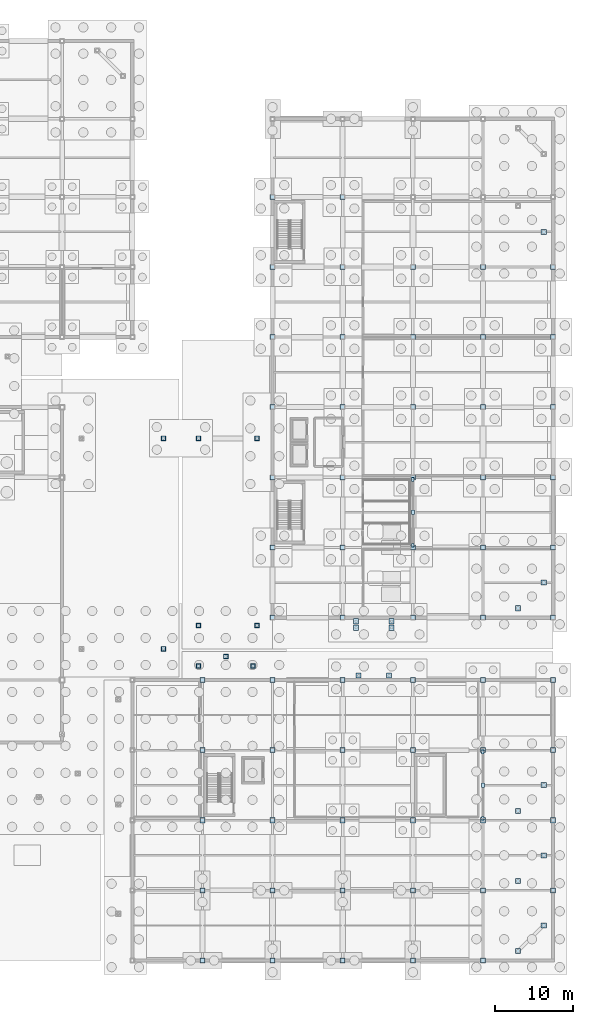
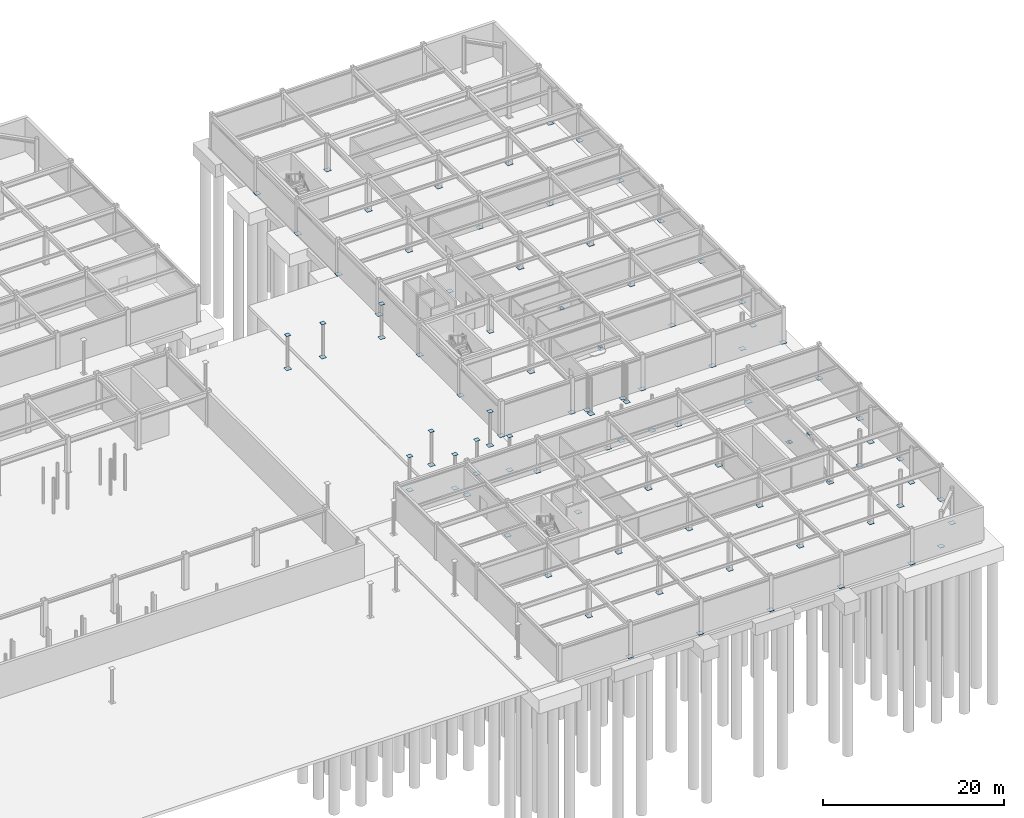
# One storey, part 50 of 74: 100 plates.
"""IFC4 building model written with IfcOpenShell, lengths in metres."""

from ifc_helpers import new_model, si_unit, direction, frame, origin, origin_2d, place, context, subcontext, project, spatial, rectangle, extrude, material, layer, layer_set, type_object, element, save


model = new_model("IFC4")

# Units and contexts
model_context = context("Model", 3, precision=1e-05, world=origin(), true_north=direction((0.0, 1.0)))
body_context = subcontext(model_context, "Body", "Model", "MODEL_VIEW")
ifc_project = project(units=[si_unit("LENGTHUNIT", "METRE"), si_unit("AREAUNIT", "SQUARE_METRE"), si_unit("VOLUMEUNIT", "CUBIC_METRE"), si_unit("PLANEANGLEUNIT", "RADIAN"), si_unit("MASSUNIT", "GRAM", prefix="KILO")], contexts=[model_context])

# Site, building, storey
site_placement = place(None, origin())
site = spatial("IfcSite", under=ifc_project, at=site_placement, CompositionType="ELEMENT")
building_placement = place(site_placement, origin())
building = spatial("IfcBuilding", under=site, at=building_placement, Name="Suzunagisa Mobility Hub", CompositionType="ELEMENT")
storey_placement = place(building_placement, frame((0.0, 0.0, -4.800048828125)))
storey = spatial("IfcBuildingStorey", under=building, at=storey_placement, Name="B1", CompositionType="ELEMENT", Elevation=-4.800048828125)

# Plates
ifc_material = material(Name="Steel SN490B", Category="steel")
ifc_layer_1 = layer(ifc_material, 0.02392578125)
ifc_layer_set_1 = layer_set([ifc_layer_1], Name="Steel SN490B")
plate_type_1 = type_object("IfcPlateType", Name="Structural Steel Plate SP-01 550x550x24", PredefinedType="USERDEFINED", material=ifc_layer_set_1)
for number, where, z_axis, x_axis, name in (
    (1, (130.0, 40.0, 4.55517578125), (0.0, 0.0, 1.0), (1.0, 0.0, 0.0), "B1 Column Cap Plate CP-237"),
    (2, (130.0, 67.0, 4.55517578125), (0.0, 0.0, 1.0), (1.0, 0.0, 0.0), "B1 Column Cap Plate CP-238"),
    (3, (134.5, 37.800048828125, 4.55517578125), (0.0, 0.0, 1.0), (1.0, 0.0, 0.0), "B1 Column Cap Plate CP-239"),
    (4, (134.5, 43.0, 4.55517578125), (0.0, 0.0, 1.0), (1.0, 0.0, 0.0), "B1 Column Cap Plate CP-240"),
    (5, (134.5, 67.0, 4.55517578125), (0.0, 0.0, 1.0), (1.0, 0.0, 0.0), "B1 Column Cap Plate CP-241"),
    (6, (138.0, 39.0, 4.55517578125), (0.0, 0.0, 1.0), (1.0, 0.0, 0.0), "B1 Column Cap Plate CP-247"),
    (7, (141.5, 37.800048828125, 4.55517578125), (0.0, 0.0, 1.0), (1.0, 0.0, 0.0), "B1 Column Cap Plate CP-248"),
    (8, (142.0, 43.0, 4.55517578125), (0.0, 0.0, 1.0), (1.0, 0.0, 0.0), "B1 Column Cap Plate CP-249"),
    (9, (142.0, 67.0, 4.55517578125), (0.0, 0.0, 1.0), (1.0, 0.0, 0.0), "B1 Column Cap Plate CP-250"),
):
    element("IfcPlate", number, at=place(storey_placement, frame(where, z_axis=z_axis, x_axis=x_axis)), inside=storey, type_object=plate_type_1, Name=name, ObjectType="BASE PLATE", PredefinedType="USERDEFINED", context=body_context, shape_type="SweptSolid", body=[
        extrude(rectangle(XDim=0.550048828125, YDim=0.550048828125, at=origin_2d()), origin(), (0.0, 0.0, 1.0), 0.02392578125),
    ])
ifc_layer_2 = layer(ifc_material, 0.028076171875)
ifc_layer_set_2 = layer_set([ifc_layer_2], Name="Steel SN490B")
plate_type_2 = type_object("IfcPlateType", Name="Structural Steel Plate SP-04 480x320x28", PredefinedType="USERDEFINED", material=ifc_layer_set_2)
for number, where, z_axis, x_axis, name in (
    (10, (162.0, 53.27001953125, 0.10595703125), (0.0, 0.0, 1.0), (1.0, 0.0, 0.0), "B1 Brace Foot Gusset Plate FGP-107.1"),
    (11, (162.0, 61.72998046875, 0.10595703125), (0.0, 0.0, 1.0), (1.0, 0.0, 0.0), "B1 Brace Foot Gusset Plate FGP-107.2"),
    (12, (171.0, 18.2451171875, 0.10595703125), (0.0, 0.0, 1.0), (1.0, 0.0, 0.0), "B1 Brace Foot Gusset Plate FGP-125.1"),
    (13, (171.0, 26.7548828125, 0.10595703125), (0.0, 0.0, 1.0), (1.0, 0.0, 0.0), "B1 Brace Foot Gusset Plate FGP-125.2"),
):
    element("IfcPlate", number, at=place(storey_placement, frame(where, z_axis=z_axis, x_axis=x_axis)), inside=storey, type_object=plate_type_2, Name=name, ObjectType="GUSSET PLATE", PredefinedType="USERDEFINED", context=body_context, shape_type="SweptSolid", body=[
        extrude(rectangle(XDim=0.320068359375, YDim=0.47998046875, at=origin_2d()), origin(), (0.0, 0.0, 1.0), 0.028076171875),
    ])
ifc_layer_3 = layer(ifc_material, 0.031982421875)
ifc_layer_set_3 = layer_set([ifc_layer_3], Name="Steel SN490B")
plate_type_3 = type_object("IfcPlateType", Name="Structural Steel Plate SP-05 650x650x32", PredefinedType="USERDEFINED", material=ifc_layer_set_3)
for number, where, z_axis, x_axis, name in (
    (14, (130.0, 40.0, -0.03173828125), (0.0, 0.0, 1.0), (1.0, 0.0, 0.0), "Column Base Plate BP-237"),
    (15, (130.0, 67.0, -0.03173828125), (0.0, 0.0, 1.0), (1.0, 0.0, 0.0), "Column Base Plate BP-238"),
    (16, (134.5, 37.800048828125, -0.03173828125), (0.0, 0.0, 1.0), (1.0, 0.0, 0.0), "Column Base Plate BP-239"),
    (17, (134.5, 43.0, -0.03173828125), (0.0, 0.0, 1.0), (1.0, 0.0, 0.0), "Column Base Plate BP-240"),
    (18, (134.5, 67.0, -0.03173828125), (0.0, 0.0, 1.0), (1.0, 0.0, 0.0), "Column Base Plate BP-241"),
    (19, (135.0, 0.0, -0.03173828125), (0.0, 0.0, 1.0), (1.0, 0.0, 0.0), "Column Base Plate BP-242"),
    (20, (135.0, 9.0, -0.03173828125), (0.0, 0.0, 1.0), (1.0, 0.0, 0.0), "Column Base Plate BP-243"),
    (21, (135.0, 18.0, -0.03173828125), (0.0, 0.0, 1.0), (1.0, 0.0, 0.0), "Column Base Plate BP-244"),
    (22, (135.0, 27.0, -0.03173828125), (0.0, 0.0, 1.0), (1.0, 0.0, 0.0), "Column Base Plate BP-245"),
    (23, (135.0, 36.0, -0.03173828125), (0.0, 0.0, 1.0), (1.0, 0.0, 0.0), "Column Base Plate BP-246"),
    (24, (138.0, 39.0, -0.03173828125), (0.0, 0.0, 1.0), (1.0, 0.0, 0.0), "Column Base Plate BP-247"),
    (25, (141.5, 37.800048828125, -0.03173828125), (0.0, 0.0, 1.0), (1.0, 0.0, 0.0), "Column Base Plate BP-248"),
    (26, (142.0, 43.0, -0.03173828125), (0.0, 0.0, 1.0), (1.0, 0.0, 0.0), "Column Base Plate BP-249"),
    (27, (142.0, 67.0, -0.03173828125), (0.0, 0.0, 1.0), (1.0, 0.0, 0.0), "Column Base Plate BP-250"),
    (28, (144.0, 0.0, -0.03173828125), (0.0, 0.0, 1.0), (1.0, 0.0, 0.0), "Column Base Plate BP-251"),
    (29, (144.0, 9.0, -0.03173828125), (0.0, 0.0, 1.0), (1.0, 0.0, 0.0), "Column Base Plate BP-252"),
    (30, (144.0, 18.0, -0.03173828125), (0.0, 0.0, 1.0), (1.0, 0.0, 0.0), "Column Base Plate BP-253"),
    (31, (144.0, 27.0, -0.03173828125), (0.0, 0.0, 1.0), (1.0, 0.0, 0.0), "Column Base Plate BP-254"),
    (32, (144.0, 36.0, -0.03173828125), (0.0, 0.0, 1.0), (1.0, 0.0, 0.0), "Column Base Plate BP-255"),
    (33, (144.0, 44.0, -0.03173828125), (0.0, 0.0, 1.0), (1.0, 0.0, 0.0), "Column Base Plate BP-256"),
    (34, (144.0, 53.0, -0.03173828125), (0.0, 0.0, 1.0), (1.0, 0.0, 0.0), "Column Base Plate BP-257"),
    (35, (144.0, 62.0, -0.03173828125), (0.0, 0.0, 1.0), (1.0, 0.0, 0.0), "Column Base Plate BP-258"),
    (36, (144.0, 71.0, -0.03173828125), (0.0, 0.0, 1.0), (1.0, 0.0, 0.0), "Column Base Plate BP-259"),
    (37, (144.0, 80.0, -0.03173828125), (0.0, 0.0, 1.0), (1.0, 0.0, 0.0), "Column Base Plate BP-260"),
    (38, (144.0, 89.0, -0.03173828125), (0.0, 0.0, 1.0), (1.0, 0.0, 0.0), "Column Base Plate BP-261"),
    (39, (144.0, 98.0, -0.03173828125), (0.0, 0.0, 1.0), (1.0, 0.0, 0.0), "Column Base Plate BP-262"),
    (40, (153.0, 0.0, -0.03173828125), (0.0, 0.0, 1.0), (1.0, 0.0, 0.0), "Column Base Plate BP-264"),
    (41, (153.0, 9.0, -0.03173828125), (0.0, 0.0, 1.0), (1.0, 0.0, 0.0), "Column Base Plate BP-265"),
    (42, (153.0, 18.0, -0.03173828125), (0.0, 0.0, 1.0), (1.0, 0.0, 0.0), "Column Base Plate BP-266"),
    (43, (153.0, 27.0, -0.03173828125), (0.0, 0.0, 1.0), (1.0, 0.0, 0.0), "Column Base Plate BP-267"),
    (44, (153.0, 36.0, -0.03173828125), (0.0, 0.0, 1.0), (1.0, 0.0, 0.0), "Column Base Plate BP-268"),
    (45, (153.0, 44.0, -0.03173828125), (0.0, 0.0, 1.0), (1.0, 0.0, 0.0), "Column Base Plate BP-269"),
    (46, (153.0, 53.0, -0.03173828125), (0.0, 0.0, 1.0), (1.0, 0.0, 0.0), "Column Base Plate BP-270"),
    (47, (153.0, 62.0, -0.03173828125), (0.0, 0.0, 1.0), (1.0, 0.0, 0.0), "Column Base Plate BP-271"),
    (48, (153.0, 71.0, -0.03173828125), (0.0, 0.0, 1.0), (1.0, 0.0, 0.0), "Column Base Plate BP-272"),
    (49, (153.0, 80.0, -0.03173828125), (0.0, 0.0, 1.0), (1.0, 0.0, 0.0), "Column Base Plate BP-273"),
    (50, (153.0, 89.0, -0.03173828125), (0.0, 0.0, 1.0), (1.0, 0.0, 0.0), "Column Base Plate BP-274"),
    (51, (153.0, 98.0, -0.03173828125), (0.0, 0.0, 1.0), (1.0, 0.0, 0.0), "Column Base Plate BP-275"),
    (52, (154.719970703125, 42.699951171875, -0.03173828125), (0.0, 0.0, 1.0), (1.0, 0.0, 0.0), "Column Base Plate BP-277"),
    (53, (154.719970703125, 43.530029296875, -0.03173828125), (0.0, 0.0, 1.0), (1.0, 0.0, 0.0), "Column Base Plate BP-278"),
    (54, (155.050048828125, 36.550048828125, -0.03173828125), (0.0, 0.0, 1.0), (1.0, 0.0, 0.0), "Column Base Plate BP-279"),
    (55, (158.949951171875, 36.550048828125, -0.03173828125), (0.0, 0.0, 1.0), (1.0, 0.0, 0.0), "Column Base Plate BP-280"),
    (56, (159.280029296875, 42.699951171875, -0.03173828125), (0.0, 0.0, 1.0), (1.0, 0.0, 0.0), "Column Base Plate BP-281"),
    (57, (159.280029296875, 43.530029296875, -0.03173828125), (0.0, 0.0, 1.0), (1.0, 0.0, 0.0), "Column Base Plate BP-282"),
    (58, (162.0, 0.0, -0.03173828125), (0.0, 0.0, 1.0), (1.0, 0.0, 0.0), "Column Base Plate BP-283"),
    (59, (162.0, 9.0, -0.03173828125), (0.0, 0.0, 1.0), (1.0, 0.0, 0.0), "Column Base Plate BP-284"),
    (60, (162.0, 18.0, -0.03173828125), (0.0, 0.0, 1.0), (1.0, 0.0, 0.0), "Column Base Plate BP-285"),
    (61, (162.0, 27.0, -0.03173828125), (0.0, 0.0, 1.0), (1.0, 0.0, 0.0), "Column Base Plate BP-286"),
    (62, (162.0, 36.0, -0.03173828125), (0.0, 0.0, 1.0), (1.0, 0.0, 0.0), "Column Base Plate BP-287"),
    (63, (162.0, 44.0, -0.03173828125), (0.0, 0.0, 1.0), (1.0, 0.0, 0.0), "Column Base Plate BP-288"),
    (64, (162.0, 53.0, -0.03173828125), (0.0, 0.0, 1.0), (1.0, 0.0, 0.0), "Column Base Plate BP-289"),
    (65, (162.0, 62.0, -0.03173828125), (0.0, 0.0, 1.0), (1.0, 0.0, 0.0), "Column Base Plate BP-290"),
    (66, (162.0, 71.0, -0.03173828125), (0.0, 0.0, 1.0), (1.0, 0.0, 0.0), "Column Base Plate BP-291"),
    (67, (162.0, 80.0, -0.03173828125), (0.0, 0.0, 1.0), (1.0, 0.0, 0.0), "Column Base Plate BP-292"),
    (68, (162.0, 89.0, -0.03173828125), (0.0, 0.0, 1.0), (1.0, 0.0, 0.0), "Column Base Plate BP-293"),
    (69, (171.0, 0.0, -0.03173828125), (0.0, 0.0, 1.0), (1.0, 0.0, 0.0), "Column Base Plate BP-296"),
    (70, (171.0, 9.0, -0.03173828125), (0.0, 0.0, 1.0), (1.0, 0.0, 0.0), "Column Base Plate BP-297"),
    (71, (171.0, 18.0, -0.03173828125), (0.0, 0.0, 1.0), (1.0, 0.0, 0.0), "Column Base Plate BP-298"),
    (72, (171.0, 27.0, -0.03173828125), (0.0, 0.0, 1.0), (1.0, 0.0, 0.0), "Column Base Plate BP-299"),
    (73, (171.0, 36.0, -0.03173828125), (0.0, 0.0, 1.0), (1.0, 0.0, 0.0), "Column Base Plate BP-300"),
    (74, (171.0, 44.0, -0.03173828125), (0.0, 0.0, 1.0), (1.0, 0.0, 0.0), "Column Base Plate BP-301"),
    (75, (171.0, 53.0, -0.03173828125), (0.0, 0.0, 1.0), (1.0, 0.0, 0.0), "Column Base Plate BP-302"),
    (76, (171.0, 62.0, -0.03173828125), (0.0, 0.0, 1.0), (1.0, 0.0, 0.0), "Column Base Plate BP-303"),
    (77, (171.0, 71.0, -0.03173828125), (0.0, 0.0, 1.0), (1.0, 0.0, 0.0), "Column Base Plate BP-304"),
    (78, (171.0, 80.0, -0.03173828125), (0.0, 0.0, 1.0), (1.0, 0.0, 0.0), "Column Base Plate BP-305"),
    (79, (171.0, 89.0, -0.03173828125), (0.0, 0.0, 1.0), (1.0, 0.0, 0.0), "Column Base Plate BP-306"),
    (80, (175.5, 1.205810546875, -0.03173828125), (0.0, 0.0, 1.0), (1.0, 0.0, 0.0), "Column Base Plate BP-309"),
    (81, (175.5, 10.205810546875, -0.03173828125), (0.0, 0.0, 1.0), (1.0, 0.0, 0.0), "Column Base Plate BP-310"),
    (82, (175.5, 19.205810546875, -0.03173828125), (0.0, 0.0, 1.0), (1.0, 0.0, 0.0), "Column Base Plate BP-311"),
    (83, (175.5, 45.205810546875, -0.03173828125), (0.0, 0.0, 1.0), (1.0, 0.0, 0.0), "Column Base Plate BP-312"),
    (84, (178.794189453125, 4.5, -0.03173828125), (0.0, 0.0, 1.0), (1.0, 0.0, 0.0), "Column Base Plate BP-315"),
    (85, (178.794189453125, 13.5, -0.03173828125), (0.0, 0.0, 1.0), (1.0, 0.0, 0.0), "Column Base Plate BP-316"),
    (86, (178.794189453125, 22.5, -0.03173828125), (0.0, 0.0, 1.0), (1.0, 0.0, 0.0), "Column Base Plate BP-317"),
    (87, (178.794189453125, 48.5, -0.03173828125), (0.0, 0.0, 1.0), (1.0, 0.0, 0.0), "Column Base Plate BP-318"),
    (88, (178.794189453125, 93.5, -0.03173828125), (0.0, 0.0, 1.0), (1.0, 0.0, 0.0), "Column Base Plate BP-319"),
    (89, (180.0, 9.0, -0.03173828125), (0.0, 0.0, 1.0), (1.0, 0.0, 0.0), "Column Base Plate BP-321"),
    (90, (180.0, 18.0, -0.03173828125), (0.0, 0.0, 1.0), (1.0, 0.0, 0.0), "Column Base Plate BP-322"),
    (91, (180.0, 27.0, -0.03173828125), (0.0, 0.0, 1.0), (1.0, 0.0, 0.0), "Column Base Plate BP-323"),
    (92, (180.0, 36.0, -0.03173828125), (0.0, 0.0, 1.0), (1.0, 0.0, 0.0), "Column Base Plate BP-324"),
    (93, (180.0, 44.0, -0.03173828125), (0.0, 0.0, 1.0), (1.0, 0.0, 0.0), "Column Base Plate BP-325"),
    (94, (180.0, 53.0, -0.03173828125), (0.0, 0.0, 1.0), (1.0, 0.0, 0.0), "Column Base Plate BP-326"),
    (95, (180.0, 62.0, -0.03173828125), (0.0, 0.0, 1.0), (1.0, 0.0, 0.0), "Column Base Plate BP-327"),
    (96, (180.0, 71.0, -0.03173828125), (0.0, 0.0, 1.0), (1.0, 0.0, 0.0), "Column Base Plate BP-328"),
    (97, (180.0, 80.0, -0.03173828125), (0.0, 0.0, 1.0), (1.0, 0.0, 0.0), "Column Base Plate BP-329"),
    (98, (180.0, 89.0, -0.03173828125), (0.0, 0.0, 1.0), (1.0, 0.0, 0.0), "Column Base Plate BP-330"),
):
    element("IfcPlate", number, at=place(storey_placement, frame(where, z_axis=z_axis, x_axis=x_axis)), inside=storey, type_object=plate_type_3, Name=name, ObjectType="BASE PLATE", PredefinedType="USERDEFINED", context=body_context, shape_type="SweptSolid", body=[
        extrude(rectangle(XDim=0.64990234375, YDim=0.64990234375, at=origin_2d()), origin(), (0.0, 0.0, 1.0), 0.031982421875),
    ])
ifc_layer_4 = layer(ifc_material, 0.028076171875)
ifc_layer_set_4 = layer_set([ifc_layer_4], Name="Steel SN490B")
plate_type_4 = type_object("IfcPlateType", Name="Structural Steel Plate SP-06 600x400x28", PredefinedType="USERDEFINED", material=ifc_layer_set_4)
for number, where, z_axis, x_axis, name in (
    (99, (162.0, 57.5, 3.69189453125), (0.0, 0.0, 1.0), (1.0, 0.0, 0.0), "B1 Brace Apex Gusset GP-107"),
    (100, (171.0, 22.5, 3.841796875), (0.0, 0.0, 1.0), (1.0, 0.0, 0.0), "B1 Brace Apex Gusset GP-125"),
):
    element("IfcPlate", number, at=place(storey_placement, frame(where, z_axis=z_axis, x_axis=x_axis)), inside=storey, type_object=plate_type_4, Name=name, ObjectType="GUSSET PLATE", PredefinedType="USERDEFINED", context=body_context, shape_type="SweptSolid", body=[
        extrude(rectangle(XDim=0.39990234375, YDim=0.60009765625, at=origin_2d()), origin(), (0.0, 0.0, 1.0), 0.028076171875),
    ])

save(model, "model.ifc")
